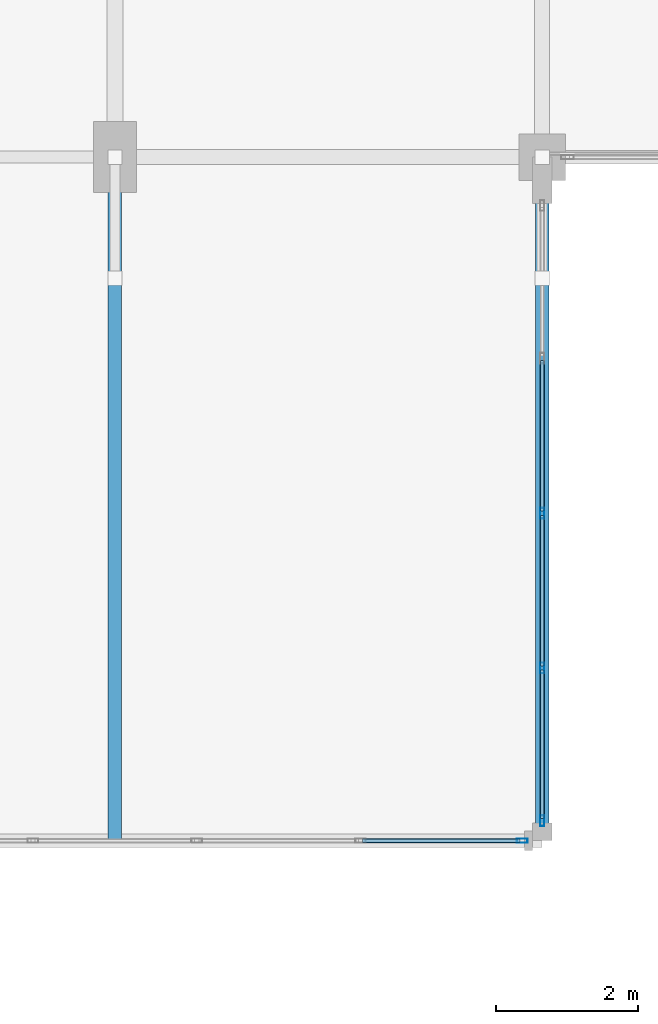
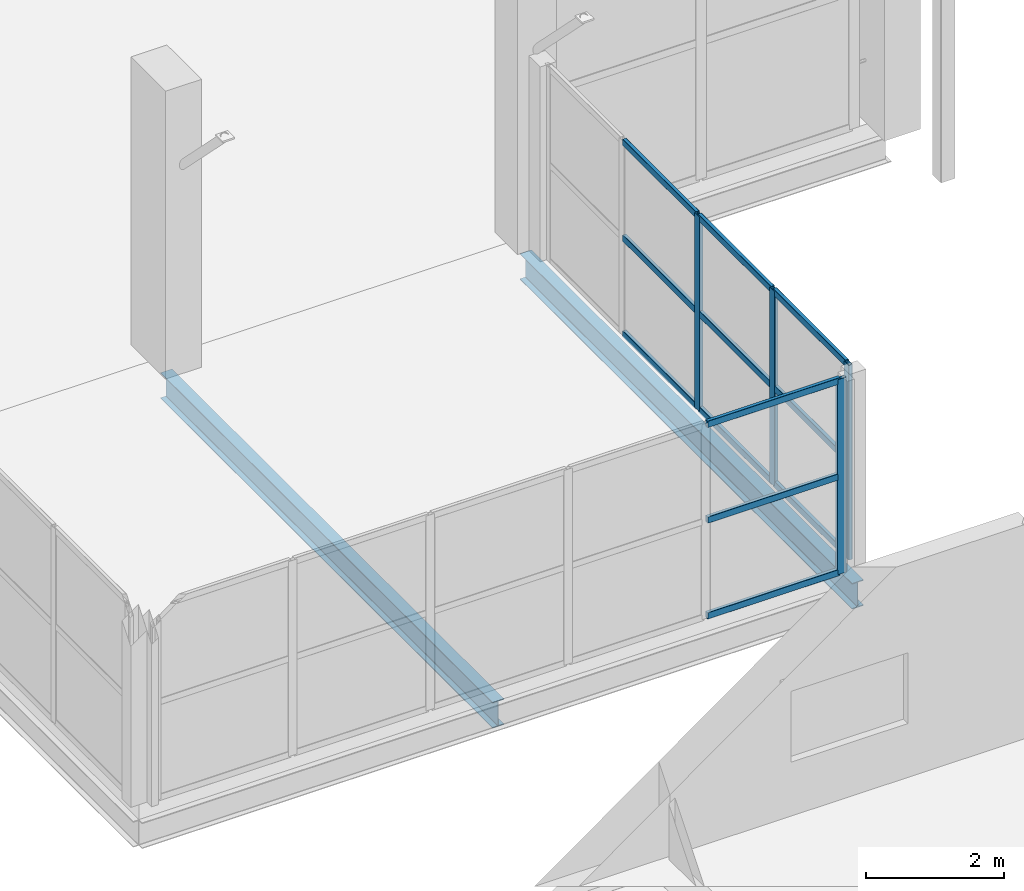
# One storey, part 28 of 127: 16 members, 2 beams, 2 elements without a shape of their own.
"""IFC4 building model written with IfcOpenShell, lengths in metres."""

from ifc_helpers import new_model, si_unit, direction, frame, origin, origin_2d, place, context, subcontext, project, spatial, hollow_rectangle, i_section, extrude, material, layer, layer_set, material_profile, profile_set, type_object, element, aggregate, save


model = new_model("IFC4")

# Units and contexts
model_context = context("Model", 3, precision=1e-05, world=origin(), true_north=direction((0.0, 1.0)))
body_context = subcontext(model_context, "Body", "Model", "MODEL_VIEW")
ifc_project = project(units=[si_unit("LENGTHUNIT", "METRE"), si_unit("AREAUNIT", "SQUARE_METRE"), si_unit("VOLUMEUNIT", "CUBIC_METRE"), si_unit("PLANEANGLEUNIT", "RADIAN"), si_unit("MASSUNIT", "GRAM", prefix="KILO")], contexts=[model_context])

# Site, building, storey
site_placement = place(None, origin())
site = spatial("IfcSite", under=ifc_project, at=site_placement, CompositionType="ELEMENT")
building_placement = place(site_placement, origin())
building = spatial("IfcBuilding", under=site, at=building_placement, Name="Dunvalen Ferry Terminal", CompositionType="ELEMENT")
storey_placement = place(building_placement, frame((0.0, 0.0, 5.760009765625)))
storey = spatial("IfcBuildingStorey", under=building, at=storey_placement, Name="L01", CompositionType="ELEMENT", Elevation=5.760009765625)

# Curtain wall, members
ifc_material_1 = material(Name="Anodised marine aluminium and solar-control glazing", Category="aluminium")
ifc_layer_1 = layer(ifc_material_1, 0.159912109375, Name="Anodised marine aluminium and solar-control glazing")
ifc_layer_set_1 = layer_set([ifc_layer_1], Name="Anodised marine aluminium and solar-control glazing")
curtain_wall_type_1 = type_object("IfcCurtainWallType", Name="ENV-CW-SYS-10", PredefinedType="NOTDEFINED", material=ifc_layer_set_1)
curtain_wall_1_placement = place(storey_placement, origin())
curtain_wall_1 = element("IfcCurtainWall", 1, at=curtain_wall_1_placement, inside=storey, type_object=curtain_wall_type_1, Name="L01 Curtain Wall CW-LNK51-2", PredefinedType="NOTDEFINED")
ifc_material_2 = material(Name="Anodised marine aluminium EN AW-6063 T6", Category="aluminium")
ifc_material_profile_1 = material_profile(ifc_material_2, hollow_rectangle(XDim=0.06005859375, YDim=0.14990234375, WallThickness=0.00341796875, InnerFilletRadius=0.00341796875, OuterFilletRadius=0.007080078125, at=origin_2d()), Name="Anodised marine aluminium EN AW-6063 T6")
ifc_profile_set_1 = profile_set([ifc_material_profile_1], Name="Anodised marine aluminium EN AW-6063 T6")
member_type_1 = type_object("IfcMemberType", Name="ENV-CW-MUL-3", PredefinedType="MULLION", material=ifc_profile_set_1)
member_1_placement = place(storey_placement, frame((90.0, 41.080078125, 0.0), z_axis=(0.0, 0.0, 1.0), x_axis=(-1.0, 0.0, 0.0)))
member_1 = element("IfcMember", 2, at=member_1_placement, type_object=member_type_1, Name="CW-10 mullion 1", PredefinedType="MULLION", context=body_context, shape_type="SweptSolid", body=[
    extrude(hollow_rectangle(XDim=0.06005859375, YDim=0.14990234375, WallThickness=0.00341796875, InnerFilletRadius=0.00341796875, OuterFilletRadius=0.007080078125, at=origin_2d()), origin(), (0.0, 0.0, 1.0), 3.43994140625),
])
member_2_placement = place(storey_placement, frame((90.0, 43.22509765625, 0.0), z_axis=(0.0, 0.0, 1.0), x_axis=(-1.0, 0.0, 0.0)))
member_2 = element("IfcMember", 3, at=member_2_placement, type_object=member_type_1, Name="CW-10 mullion 2", PredefinedType="MULLION", context=body_context, shape_type="SweptSolid", body=[
    extrude(hollow_rectangle(XDim=0.06005859375, YDim=0.14990234375, WallThickness=0.00341796875, InnerFilletRadius=0.00341796875, OuterFilletRadius=0.007080078125, at=origin_2d()), origin(), (0.0, 0.0, 1.0), 3.43994140625),
])
member_3_placement = place(storey_placement, frame((90.0, 45.39990234375, 0.0), z_axis=(0.0, 0.0, 1.0), x_axis=(-1.0, 0.0, 0.0)))
member_3 = element("IfcMember", 4, at=member_3_placement, type_object=member_type_1, Name="CW-10 mullion 3", PredefinedType="MULLION", context=body_context, shape_type="SweptSolid", body=[
    extrude(hollow_rectangle(XDim=0.06005859375, YDim=0.14990234375, WallThickness=0.00341796875, InnerFilletRadius=0.00341796875, OuterFilletRadius=0.007080078125, at=origin_2d()), origin(), (0.0, 0.0, 1.0), 3.43994140625),
])

# Curtain wall, member
ifc_layer_2 = layer(ifc_material_1, 0.159912109375, Name="Anodised marine aluminium and solar-control glazing")
ifc_layer_set_2 = layer_set([ifc_layer_2], Name="Anodised marine aluminium and solar-control glazing")
curtain_wall_type_2 = type_object("IfcCurtainWallType", Name="ENV-CW-SYS-09", PredefinedType="NOTDEFINED", material=ifc_layer_set_2)
curtain_wall_2_placement = place(storey_placement, origin())
curtain_wall_2 = element("IfcCurtainWall", 5, at=curtain_wall_2_placement, inside=storey, type_object=curtain_wall_type_2, Name="L01 Curtain Wall CW-LNK51-S", PredefinedType="NOTDEFINED")
member_4_placement = place(storey_placement, frame((89.719970703125, 40.800048828125, 0.0), z_axis=(0.0, 0.0, 1.0), x_axis=(0.0, 1.0, 0.0)))
member_4 = element("IfcMember", 6, at=member_4_placement, type_object=member_type_1, Name="CW-09 mullion 6", PredefinedType="MULLION", context=body_context, shape_type="SweptSolid", body=[
    extrude(hollow_rectangle(XDim=0.06005859375, YDim=0.14990234375, WallThickness=0.00341796875, InnerFilletRadius=0.00341796875, OuterFilletRadius=0.007080078125, at=origin_2d()), origin(), (0.0, 0.0, 1.0), 3.43994140625),
])

# Member
ifc_material_profile_2 = material_profile(ifc_material_2, hollow_rectangle(XDim=0.06005859375, YDim=0.114990234375, WallThickness=0.0029296875, InnerFilletRadius=0.0029296875, OuterFilletRadius=0.006103515625, at=origin_2d()), Name="Anodised marine aluminium EN AW-6063 T6")
ifc_profile_set_2 = profile_set([ifc_material_profile_2], Name="Anodised marine aluminium EN AW-6063 T6")
member_type_2 = type_object("IfcMemberType", Name="ENV-CW-TRN-3", PredefinedType="USERDEFINED", material=ifc_profile_set_2)
member_5_placement = place(storey_placement, frame((90.0, 41.110107421875, 0.030029296875), z_axis=(0.0, 1.0, 0.0), x_axis=(-1.0, 0.0, 0.0)))
member_5 = element("IfcMember", 7, at=member_5_placement, type_object=member_type_2, Name="CW-10 transom 1.1", ObjectType="TRANSOM", PredefinedType="USERDEFINED", context=body_context, shape_type="SweptSolid", body=[
    extrude(hollow_rectangle(XDim=0.06005859375, YDim=0.114990234375, WallThickness=0.0029296875, InnerFilletRadius=0.0029296875, OuterFilletRadius=0.006103515625, at=origin_2d()), origin(), (0.0, 0.0, 1.0), 2.0849609375),
])

member_6_placement = place(storey_placement, frame((90.0, 41.110107421875, 1.719970703125), z_axis=(0.0, 1.0, 0.0), x_axis=(-1.0, 0.0, 0.0)))
member_6 = element("IfcMember", 8, at=member_6_placement, type_object=member_type_2, Name="CW-10 transom 1.2", ObjectType="TRANSOM", PredefinedType="USERDEFINED", context=body_context, shape_type="SweptSolid", body=[
    extrude(hollow_rectangle(XDim=0.06005859375, YDim=0.114990234375, WallThickness=0.0029296875, InnerFilletRadius=0.0029296875, OuterFilletRadius=0.006103515625, at=origin_2d()), origin(), (0.0, 0.0, 1.0), 2.0849609375),
])

member_7_placement = place(storey_placement, frame((90.0, 41.110107421875, 3.409912109375), z_axis=(0.0, 1.0, 0.0), x_axis=(-1.0, 0.0, 0.0)))
member_7 = element("IfcMember", 9, at=member_7_placement, type_object=member_type_2, Name="CW-10 transom 1.3", ObjectType="TRANSOM", PredefinedType="USERDEFINED", context=body_context, shape_type="SweptSolid", body=[
    extrude(hollow_rectangle(XDim=0.06005859375, YDim=0.114990234375, WallThickness=0.0029296875, InnerFilletRadius=0.0029296875, OuterFilletRadius=0.006103515625, at=origin_2d()), origin(), (0.0, 0.0, 1.0), 2.0849609375),
])

member_8_placement = place(storey_placement, frame((90.0, 43.2548828125, 0.030029296875), z_axis=(0.0, 1.0, 0.0), x_axis=(-1.0, 0.0, 0.0)))
member_8 = element("IfcMember", 10, at=member_8_placement, type_object=member_type_2, Name="CW-10 transom 2.1", ObjectType="TRANSOM", PredefinedType="USERDEFINED", context=body_context, shape_type="SweptSolid", body=[
    extrude(hollow_rectangle(XDim=0.06005859375, YDim=0.114990234375, WallThickness=0.0029296875, InnerFilletRadius=0.0029296875, OuterFilletRadius=0.006103515625, at=origin_2d()), origin(), (0.0, 0.0, 1.0), 2.115234375),
])

member_9_placement = place(storey_placement, frame((90.0, 43.2548828125, 1.719970703125), z_axis=(0.0, 1.0, 0.0), x_axis=(-1.0, 0.0, 0.0)))
member_9 = element("IfcMember", 11, at=member_9_placement, type_object=member_type_2, Name="CW-10 transom 2.2", ObjectType="TRANSOM", PredefinedType="USERDEFINED", context=body_context, shape_type="SweptSolid", body=[
    extrude(hollow_rectangle(XDim=0.06005859375, YDim=0.114990234375, WallThickness=0.0029296875, InnerFilletRadius=0.0029296875, OuterFilletRadius=0.006103515625, at=origin_2d()), origin(), (0.0, 0.0, 1.0), 2.115234375),
])

member_10_placement = place(storey_placement, frame((90.0, 43.2548828125, 3.409912109375), z_axis=(0.0, 1.0, 0.0), x_axis=(-1.0, 0.0, 0.0)))
member_10 = element("IfcMember", 12, at=member_10_placement, type_object=member_type_2, Name="CW-10 transom 2.3", ObjectType="TRANSOM", PredefinedType="USERDEFINED", context=body_context, shape_type="SweptSolid", body=[
    extrude(hollow_rectangle(XDim=0.06005859375, YDim=0.114990234375, WallThickness=0.0029296875, InnerFilletRadius=0.0029296875, OuterFilletRadius=0.006103515625, at=origin_2d()), origin(), (0.0, 0.0, 1.0), 2.115234375),
])

member_11_placement = place(storey_placement, frame((90.0, 45.429931640625, 0.030029296875), z_axis=(0.0, 1.0, 0.0), x_axis=(-1.0, 0.0, 0.0)))
member_11 = element("IfcMember", 13, at=member_11_placement, type_object=member_type_2, Name="CW-10 transom 3.1", ObjectType="TRANSOM", PredefinedType="USERDEFINED", context=body_context, shape_type="SweptSolid", body=[
    extrude(hollow_rectangle(XDim=0.06005859375, YDim=0.114990234375, WallThickness=0.0029296875, InnerFilletRadius=0.0029296875, OuterFilletRadius=0.006103515625, at=origin_2d()), origin(), (0.0, 0.0, 1.0), 2.114990234375),
])

member_12_placement = place(storey_placement, frame((90.0, 45.429931640625, 1.719970703125), z_axis=(0.0, 1.0, 0.0), x_axis=(-1.0, 0.0, 0.0)))
member_12 = element("IfcMember", 14, at=member_12_placement, type_object=member_type_2, Name="CW-10 transom 3.2", ObjectType="TRANSOM", PredefinedType="USERDEFINED", context=body_context, shape_type="SweptSolid", body=[
    extrude(hollow_rectangle(XDim=0.06005859375, YDim=0.114990234375, WallThickness=0.0029296875, InnerFilletRadius=0.0029296875, OuterFilletRadius=0.006103515625, at=origin_2d()), origin(), (0.0, 0.0, 1.0), 2.114990234375),
])

member_13_placement = place(storey_placement, frame((90.0, 45.429931640625, 3.409912109375), z_axis=(0.0, 1.0, 0.0), x_axis=(-1.0, 0.0, 0.0)))
member_13 = element("IfcMember", 15, at=member_13_placement, type_object=member_type_2, Name="CW-10 transom 3.3", ObjectType="TRANSOM", PredefinedType="USERDEFINED", context=body_context, shape_type="SweptSolid", body=[
    extrude(hollow_rectangle(XDim=0.06005859375, YDim=0.114990234375, WallThickness=0.0029296875, InnerFilletRadius=0.0029296875, OuterFilletRadius=0.006103515625, at=origin_2d()), origin(), (0.0, 0.0, 1.0), 2.114990234375),
])

aggregate(curtain_wall_1, [member_1, member_2, member_3, member_5, member_6, member_7, member_8, member_9, member_10, member_11, member_12, member_13])

member_14_placement = place(storey_placement, frame((87.47998046875, 40.800048828125, 0.030029296875), z_axis=(1.0, 0.0, 0.0), x_axis=(0.0, 1.0, 0.0)))
member_14 = element("IfcMember", 16, at=member_14_placement, type_object=member_type_2, Name="CW-09 transom 5.1", ObjectType="TRANSOM", PredefinedType="USERDEFINED", context=body_context, shape_type="SweptSolid", body=[
    extrude(hollow_rectangle(XDim=0.06005859375, YDim=0.114990234375, WallThickness=0.0029296875, InnerFilletRadius=0.0029296875, OuterFilletRadius=0.006103515625, at=origin_2d()), origin(), (0.0, 0.0, 1.0), 2.2099609375),
])

member_15_placement = place(storey_placement, frame((87.47998046875, 40.800048828125, 1.719970703125), z_axis=(1.0, 0.0, 0.0), x_axis=(0.0, 1.0, 0.0)))
member_15 = element("IfcMember", 17, at=member_15_placement, type_object=member_type_2, Name="CW-09 transom 5.2", ObjectType="TRANSOM", PredefinedType="USERDEFINED", context=body_context, shape_type="SweptSolid", body=[
    extrude(hollow_rectangle(XDim=0.06005859375, YDim=0.114990234375, WallThickness=0.0029296875, InnerFilletRadius=0.0029296875, OuterFilletRadius=0.006103515625, at=origin_2d()), origin(), (0.0, 0.0, 1.0), 2.2099609375),
])

member_16_placement = place(storey_placement, frame((87.47998046875, 40.800048828125, 3.409912109375), z_axis=(1.0, 0.0, 0.0), x_axis=(0.0, 1.0, 0.0)))
member_16 = element("IfcMember", 18, at=member_16_placement, type_object=member_type_2, Name="CW-09 transom 5.3", ObjectType="TRANSOM", PredefinedType="USERDEFINED", context=body_context, shape_type="SweptSolid", body=[
    extrude(hollow_rectangle(XDim=0.06005859375, YDim=0.114990234375, WallThickness=0.0029296875, InnerFilletRadius=0.0029296875, OuterFilletRadius=0.006103515625, at=origin_2d()), origin(), (0.0, 0.0, 1.0), 2.2099609375),
])

aggregate(curtain_wall_2, [member_4, member_14, member_15, member_16])

# Beams
ifc_material_3 = material(Name="Steel S355", Category="steel")
ifc_material_profile_3 = material_profile(ifc_material_3, i_section(OverallWidth=0.1904296875, OverallDepth=0.45703125, WebThickness=0.009033203125, FlangeThickness=0.014404296875, FilletRadius=0.01025390625, at=origin_2d()), Name="Steel S355")
ifc_profile_set_3 = profile_set([ifc_material_profile_3], Name="Steel S355")
beam_type = type_object("IfcBeamType", Name="STR-BM-UKB457", PredefinedType="BEAM", material=ifc_profile_set_3)
for number, where, z_axis, x_axis, name in (
    (19, (84.0, 40.800048828125, -0.489990234375), (0.0, 1.0, 0.0), (-1.0, 0.0, 0.0), "L01 Link Bridge LNK51 Girder 2"),
    (20, (90.0, 40.800048828125, -0.489990234375), (0.0, 1.0, 0.0), (-1.0, 0.0, 0.0), "L01 Link Bridge LNK51 Girder 3"),
):
    element("IfcBeam", number, at=place(storey_placement, frame(where, z_axis=z_axis, x_axis=x_axis)), inside=storey, type_object=beam_type, Name=name, PredefinedType="BEAM", context=body_context, shape_type="SweptSolid", body=[
        extrude(i_section(OverallWidth=0.1904296875, OverallDepth=0.45703125, WebThickness=0.009033203125, FlangeThickness=0.014404296875, FilletRadius=0.01025390625, at=origin_2d()), origin(), (0.0, 0.0, 1.0), 9.599853515625),
    ])

save(model, "model.ifc")
